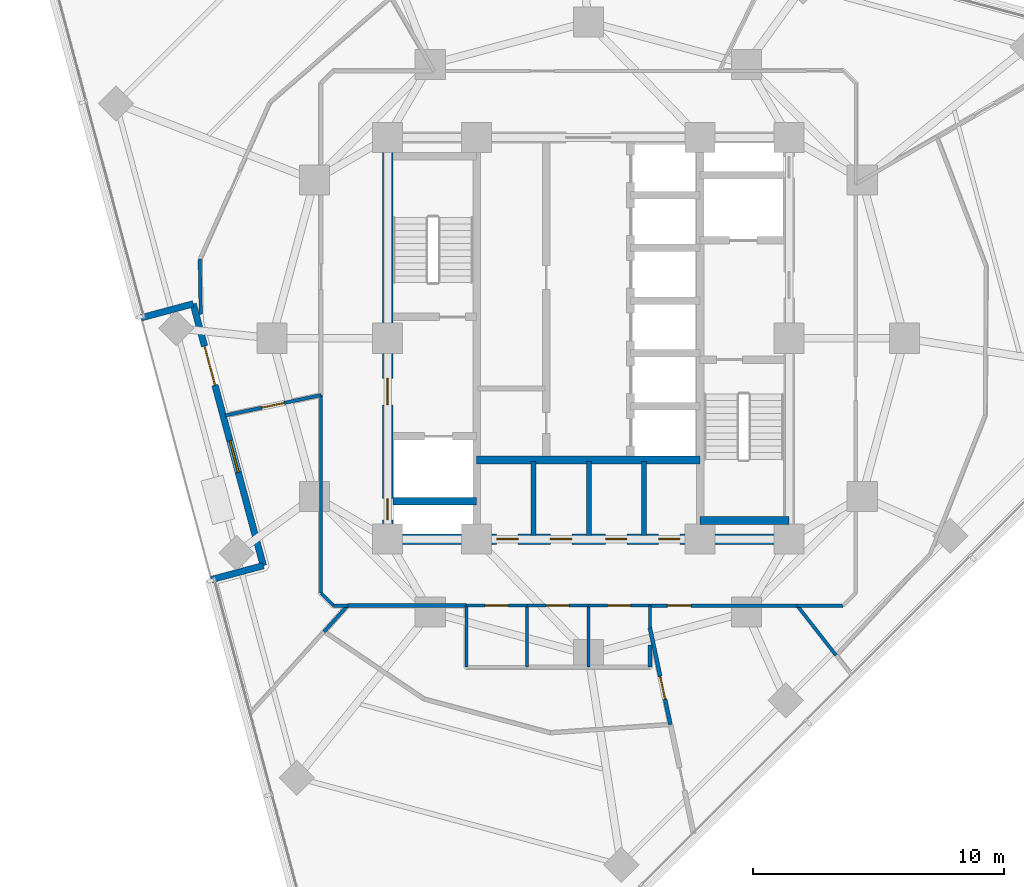
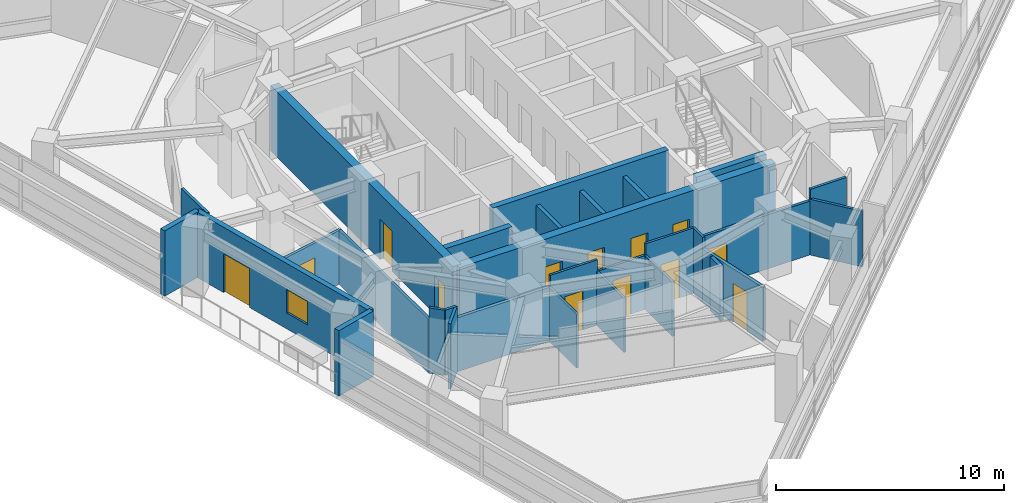
# One storey, part 7 of 14: 30 walls, 13 doors, 1 window, 14 openings.
"""IFC4 building model written with IfcOpenShell, lengths in metres."""

from ifc_helpers import new_model, si_unit, direction, frame, frame_2d, origin, place, context, subcontext, project, spatial, rectangle, extrude, material, layer, layer_set, type_object, element, fill, save


model = new_model("IFC4")

# Units and contexts
model_context = context("Model", 3, precision=1e-05, world=origin(), true_north=direction((0.0, 1.0)))
body_context = subcontext(model_context, "Body", "Model", "MODEL_VIEW")
ifc_project = project(units=[si_unit("LENGTHUNIT", "METRE"), si_unit("AREAUNIT", "SQUARE_METRE"), si_unit("VOLUMEUNIT", "CUBIC_METRE"), si_unit("PLANEANGLEUNIT", "RADIAN"), si_unit("MASSUNIT", "GRAM", prefix="KILO")], contexts=[model_context])

# Site, building, storey
site_placement = place(None, origin())
site = spatial("IfcSite", under=ifc_project, at=site_placement, CompositionType="ELEMENT")
building_placement = place(site_placement, origin())
building = spatial("IfcBuilding", under=site, at=building_placement, Name="Terralouvre Media Tower", CompositionType="ELEMENT")
storey_placement = place(building_placement, frame((0.0, 0.0, 206.39990234375)))
storey = spatial("IfcBuildingStorey", under=building, at=storey_placement, Name="L53", CompositionType="ELEMENT", Elevation=206.39990234375)

# Walls
ifc_material_1 = material(Name="Concrete C50/60", Category="concrete")
ifc_layer_1 = layer(ifc_material_1, 0.300048828125, Name="Core Internal Shaft Wall CW-300")
ifc_layer_set_1 = layer_set([ifc_layer_1], Name="Concrete C50/60")
wall_type_1 = type_object("IfcWallType", Name="Core Internal Shaft Wall CW-300", PredefinedType="SHEAR", material=ifc_layer_set_1)
wall_1_placement = place(storey_placement, frame((4.449951171875, -7.260009765625, 0.0), z_axis=(0.0, 0.0, 1.0), x_axis=(1.0, 0.0, 0.0)))
element("IfcWall", 1, at=wall_1_placement, inside=storey, type_object=wall_type_1, Name="L53 Core Shaft Wall ST2F", PredefinedType="SHEAR", context=body_context, shape_type="SweptSolid", body=[
    extrude(rectangle(XDim=3.550048828125, YDim=0.300048828125, at=frame_2d((1.77490234375, 0.0))), origin(), (0.0, 0.0, 1.0), 3.5),
])
wall_2_placement = place(storey_placement, frame((-7.7900390625, -6.5, 0.0), z_axis=(0.0, 0.0, 1.0), x_axis=(1.0, 0.0, 0.0)))
element("IfcWall", 2, at=wall_2_placement, inside=storey, type_object=wall_type_1, Name="L53 Core Shaft Wall FF1S", PredefinedType="SHEAR", context=body_context, shape_type="SweptSolid", body=[
    extrude(rectangle(XDim=3.340087890625, YDim=0.300048828125, at=frame_2d((1.669921875, 0.0))), origin(), (0.0, 0.0, 1.0), 3.5),
])
wall_3_placement = place(storey_placement, frame((-4.449951171875, -4.85009765625, 0.0), z_axis=(0.0, 0.0, 1.0), x_axis=(1.0, 0.0, 0.0)))
element("IfcWall", 3, at=wall_3_placement, inside=storey, type_object=wall_type_1, Name="L53 Core Shaft Wall CSBN", PredefinedType="SHEAR", context=body_context, shape_type="SweptSolid", body=[
    extrude(rectangle(XDim=8.89990234375, YDim=0.300048828125, at=frame_2d((4.449951171875, 0.0))), origin(), (0.0, 0.0, 1.0), 3.5),
])

# Wall, openings, doors
ifc_material_2 = material(Name="Concrete C60/75", Category="concrete")
ifc_layer_2 = layer(ifc_material_2, 0.419921875, Name="Core Reinforced Concrete Shear Wall CW-420")
ifc_layer_set_2 = layer_set([ifc_layer_2], Name="Concrete C60/75")
wall_type_2 = type_object("IfcWallType", Name="Core Reinforced Concrete Shear Wall CW-420", PredefinedType="SHEAR", material=ifc_layer_set_2)
wall_4_placement = place(storey_placement, frame((-8.0, -8.0, 0.0), z_axis=(0.0, 0.0, 1.0), x_axis=(0.0, 1.0, 0.0)))
wall_4 = element("IfcWall", 4, at=wall_4_placement, inside=storey, type_object=wall_type_2, Name="L53 W Core Shear Wall", PredefinedType="SHEAR", context=body_context, shape_type="SweptSolid", body=[
    extrude(rectangle(XDim=16.0, YDim=0.419921875, at=frame_2d((8.0, 0.0))), origin(), (0.0, 0.0, 1.0), 3.5),
])
opening_1_placement = place(wall_4_placement, frame((0.76123046875, 0.0, 0.0)))
opening_1 = element("IfcOpeningElement", 5, at=opening_1_placement, cuts=wall_4, Name="Opening TD-R1", PredefinedType="OPENING", context=body_context, shape_type="SweptSolid", body=[
    extrude(rectangle(XDim=0.85009765625, YDim=2.02001953125, at=frame_2d((0.425048828125, 1.010009765625))), frame((0.0, 0.219970703125, 0.0), z_axis=(0.0, -1.0, 0.0), x_axis=(1.0, 0.0, 0.0)), (0.0, 0.0, 1.0), 0.43994140625),
])
opening_2_placement = place(wall_4_placement, frame((5.35009765625, 0.0, 0.0)))
opening_2 = element("IfcOpeningElement", 6, at=opening_2_placement, cuts=wall_4, Name="Opening FD-01-105X215", PredefinedType="OPENING", context=body_context, shape_type="SweptSolid", body=[
    extrude(rectangle(XDim=1.050048828125, YDim=2.14990234375, at=frame_2d((0.52490234375, 1.074951171875))), frame((0.0, 0.219970703125, 0.0), z_axis=(0.0, -1.0, 0.0), x_axis=(1.0, 0.0, 0.0)), (0.0, 0.0, 1.0), 0.43994140625),
])
ifc_material_3 = material(Name="Galvanised steel fire-resisting leaf", Category="steel")
door_type_1 = type_object("IfcDoorType", Name="Riser Inspection Access Trapdoor TD-R1", OperationType="NOTDEFINED", PredefinedType="TRAPDOOR", material=ifc_material_3)
door_1_placement = place(opening_1_placement, origin())
door_1 = element("IfcDoor", 7, at=door_1_placement, inside=storey, type_object=door_type_1, Name="L53 Wet Riser Access Trapdoor", OperationType="SINGLE_SWING_LEFT", OverallHeight=2.02001953125, OverallWidth=0.85009765625, PredefinedType="TRAPDOOR", context=body_context, shape_type="SweptSolid", body=[
    extrude(rectangle(XDim=0.85009765625, YDim=2.02001953125, at=frame_2d((0.425048828125, 1.010009765625))), frame((0.0, 0.02490234375, 0.0), z_axis=(0.0, -1.0, 0.0), x_axis=(1.0, 0.0, 0.0)), (0.0, 0.0, 1.0), 0.050048828125),
])
fill(opening_1, door_1)
ifc_material_4 = material(Name="Galvanised steel fire-resisting leaf", Category="steel")
door_type_2 = type_object("IfcDoorType", Name="Stair and Firefighting Lobby Fire Door FD-01 (1050x2150)", OperationType="NOTDEFINED", PredefinedType="DOOR", material=ifc_material_4)
door_2_placement = place(opening_2_placement, origin())
door_2 = element("IfcDoor", 8, at=door_2_placement, inside=storey, type_object=door_type_2, Name="L53 West Firefighting Lobby Entry Door", OperationType="SINGLE_SWING_RIGHT", OverallHeight=2.14990234375, OverallWidth=1.050048828125, PredefinedType="DOOR", context=body_context, shape_type="SweptSolid", body=[
    extrude(rectangle(XDim=1.050048828125, YDim=2.14990234375, at=frame_2d((0.52490234375, 1.074951171875))), frame((0.0, 0.02490234375, 0.0), z_axis=(0.0, -1.0, 0.0), x_axis=(1.0, 0.0, 0.0)), (0.0, 0.0, 1.0), 0.050048828125),
])
fill(opening_2, door_2)

wall_5_placement = place(storey_placement, frame((-8.0, -8.0, 0.0), z_axis=(0.0, 0.0, 1.0), x_axis=(1.0, 0.0, 0.0)))
wall_5 = element("IfcWall", 9, at=wall_5_placement, inside=storey, type_object=wall_type_2, Name="L53 S Core Shear Wall", PredefinedType="SHEAR", context=body_context, shape_type="SweptSolid", body=[
    extrude(rectangle(XDim=16.0, YDim=0.419921875, at=frame_2d((8.0, 0.0))), origin(), (0.0, 0.0, 1.0), 3.5),
])
opening_3_placement = place(wall_5_placement, frame((4.35009765625, 0.0, 0.0)))
opening_3 = element("IfcOpeningElement", 10, at=opening_3_placement, cuts=wall_5, Name="Opening TD-R1", PredefinedType="OPENING", context=body_context, shape_type="SweptSolid", body=[
    extrude(rectangle(XDim=0.85009765625, YDim=2.02001953125, at=frame_2d((0.425048828125, 1.010009765625))), frame((0.0, 0.219970703125, 0.0), z_axis=(0.0, -1.0, 0.0), x_axis=(1.0, 0.0, 0.0)), (0.0, 0.0, 1.0), 0.43994140625),
])
opening_4_placement = place(wall_5_placement, frame((6.489990234375, 0.0, 0.0)))
opening_4 = element("IfcOpeningElement", 11, at=opening_4_placement, cuts=wall_5, Name="Opening TD-R1", PredefinedType="OPENING", context=body_context, shape_type="SweptSolid", body=[
    extrude(rectangle(XDim=0.85009765625, YDim=2.02001953125, at=frame_2d((0.425048828125, 1.010009765625))), frame((0.0, 0.219970703125, 0.0), z_axis=(0.0, -1.0, 0.0), x_axis=(1.0, 0.0, 0.0)), (0.0, 0.0, 1.0), 0.43994140625),
])
opening_5_placement = place(wall_5_placement, frame((8.68994140625, 0.0, 0.0)))
opening_5 = element("IfcOpeningElement", 12, at=opening_5_placement, cuts=wall_5, Name="Opening TD-R1", PredefinedType="OPENING", context=body_context, shape_type="SweptSolid", body=[
    extrude(rectangle(XDim=0.85009765625, YDim=2.02001953125, at=frame_2d((0.425048828125, 1.010009765625))), frame((0.0, 0.219970703125, 0.0), z_axis=(0.0, -1.0, 0.0), x_axis=(1.0, 0.0, 0.0)), (0.0, 0.0, 1.0), 0.43994140625),
])
opening_6_placement = place(wall_5_placement, frame((10.800048828125, 0.0, 0.0)))
opening_6 = element("IfcOpeningElement", 13, at=opening_6_placement, cuts=wall_5, Name="Opening TD-R1", PredefinedType="OPENING", context=body_context, shape_type="SweptSolid", body=[
    extrude(rectangle(XDim=0.85009765625, YDim=2.02001953125, at=frame_2d((0.425048828125, 1.010009765625))), frame((0.0, 0.219970703125, 0.0), z_axis=(0.0, -1.0, 0.0), x_axis=(1.0, 0.0, 0.0)), (0.0, 0.0, 1.0), 0.43994140625),
])
door_3_placement = place(opening_3_placement, origin())
door_3 = element("IfcDoor", 14, at=door_3_placement, inside=storey, type_object=door_type_1, Name="L53 Core Battery Plant Door", OperationType="SINGLE_SWING_LEFT", OverallHeight=2.02001953125, OverallWidth=0.85009765625, PredefinedType="TRAPDOOR", context=body_context, shape_type="SweptSolid", body=[
    extrude(rectangle(XDim=0.85009765625, YDim=2.02001953125, at=frame_2d((0.425048828125, 1.010009765625))), frame((0.0, 0.02490234375, 0.0), z_axis=(0.0, -1.0, 0.0), x_axis=(1.0, 0.0, 0.0)), (0.0, 0.0, 1.0), 0.050048828125),
])
fill(opening_3, door_3)
door_4_placement = place(opening_4_placement, origin())
door_4 = element("IfcDoor", 15, at=door_4_placement, inside=storey, type_object=door_type_1, Name="L53 Core IT Patch Plant Door", OperationType="SINGLE_SWING_RIGHT", OverallHeight=2.02001953125, OverallWidth=0.85009765625, PredefinedType="TRAPDOOR", context=body_context, shape_type="SweptSolid", body=[
    extrude(rectangle(XDim=0.85009765625, YDim=2.02001953125, at=frame_2d((0.425048828125, 1.010009765625))), frame((0.0, 0.02490234375, 0.0), z_axis=(0.0, -1.0, 0.0), x_axis=(1.0, 0.0, 0.0)), (0.0, 0.0, 1.0), 0.050048828125),
])
fill(opening_4, door_4)
door_5_placement = place(opening_5_placement, origin())
door_5 = element("IfcDoor", 16, at=door_5_placement, inside=storey, type_object=door_type_1, Name="L53 Core Housekeeping Store Door", OperationType="SINGLE_SWING_LEFT", OverallHeight=2.02001953125, OverallWidth=0.85009765625, PredefinedType="TRAPDOOR", context=body_context, shape_type="SweptSolid", body=[
    extrude(rectangle(XDim=0.85009765625, YDim=2.02001953125, at=frame_2d((0.425048828125, 1.010009765625))), frame((0.0, 0.02490234375, 0.0), z_axis=(0.0, -1.0, 0.0), x_axis=(1.0, 0.0, 0.0)), (0.0, 0.0, 1.0), 0.050048828125),
])
fill(opening_5, door_5)
door_6_placement = place(opening_6_placement, origin())
door_6 = element("IfcDoor", 17, at=door_6_placement, inside=storey, type_object=door_type_1, Name="L53 Core Smoke Damper Plant Door", OperationType="SINGLE_SWING_RIGHT", OverallHeight=2.02001953125, OverallWidth=0.85009765625, PredefinedType="TRAPDOOR", context=body_context, shape_type="SweptSolid", body=[
    extrude(rectangle(XDim=0.85009765625, YDim=2.02001953125, at=frame_2d((0.425048828125, 1.010009765625))), frame((0.0, 0.02490234375, 0.0), z_axis=(0.0, -1.0, 0.0), x_axis=(1.0, 0.0, 0.0)), (0.0, 0.0, 1.0), 0.050048828125),
])
fill(opening_6, door_6)

# Walls
ifc_material_5 = material(Name="Fire-rated gypsum board drywall partition")
ifc_layer_3 = layer(ifc_material_5, 0.199951171875, Name="Fire-Rated Shaft and Lobby Partition FW-200")
ifc_layer_set_3 = layer_set([ifc_layer_3], Name="Fire-rated gypsum board drywall partition")
wall_type_3 = type_object("IfcWallType", Name="Fire-Rated Shaft and Lobby Partition FW-200", PredefinedType="SOLIDWALL", material=ifc_layer_set_3)
for number, where, z_axis, x_axis, name in (
    (18, (-2.179931640625, -7.85009765625, 0.0), (0.0, 0.0, 1.0), (0.0, 1.0, 0.0), "L53 Core Service Bay Partition 1"),
    (19, (0.02001953125, -7.85009765625, 0.0), (0.0, 0.0, 1.0), (0.0, 1.0, 0.0), "L53 Core Service Bay Partition 2"),
    (20, (2.219970703125, -7.85009765625, 0.0), (0.0, 0.0, 1.0), (0.0, 1.0, 0.0), "L53 Core Service Bay Partition 3"),
):
    element("IfcWall", number, at=place(storey_placement, frame(where, z_axis=z_axis, x_axis=x_axis)), inside=storey, type_object=wall_type_3, Name=name, PredefinedType="SOLIDWALL", context=body_context, shape_type="SweptSolid", body=[
        extrude(rectangle(XDim=2.9501953125, YDim=0.199951171875, at=frame_2d((1.47509765625, 0.0))), origin(), (0.0, 0.0, 1.0), 2.885009765625),
    ])
ifc_material_6 = material(Name="Fire-rated gypsum board drywall partition")
ifc_layer_4 = layer(ifc_material_6, 0.135009765625, Name="Newsroom Acoustic Partition PT-135")
ifc_layer_set_4 = layer_set([ifc_layer_4], Name="Fire-rated gypsum board drywall partition")
wall_type_4 = type_object("IfcWallType", Name="Newsroom Acoustic Partition PT-135", PredefinedType="PARTITIONING", material=ifc_layer_set_4)
wall_6_placement = place(storey_placement, frame((-10.64990234375, -2.263916015625, 0.0), z_axis=(0.0, 0.0, 1.0), x_axis=(0.0, -1.0, 0.0)))
element("IfcWall", 21, at=wall_6_placement, inside=storey, type_object=wall_type_4, Name="L53 Interior Partition 001", PredefinedType="PARTITIONING", context=body_context, shape_type="SweptSolid", body=[
    extrude(rectangle(XDim=7.885986328125, YDim=0.135009765625, at=frame_2d((3.94287109375, 0.0))), origin(), (0.0, 0.0, 1.0), 2.885009765625),
])
wall_7_placement = place(storey_placement, frame((-10.64990234375, -10.14990234375, 0.0), z_axis=(0.0, 0.0, 1.0), x_axis=(0.707106781187, -0.707106781187, 0.0)))
element("IfcWall", 22, at=wall_7_placement, inside=storey, type_object=wall_type_4, Name="L53 Interior Partition 002", PredefinedType="PARTITIONING", context=body_context, shape_type="SweptSolid", body=[
    extrude(rectangle(XDim=0.70703125, YDim=0.135009765625, at=frame_2d((0.353515625, 0.0))), origin(), (0.0, 0.0, 1.0), 3.5),
])
wall_8_placement = place(storey_placement, frame((-10.14990234375, -10.64990234375, 0.0), z_axis=(0.0, 0.0, 1.0), x_axis=(1.0, 0.0, 0.0)))
element("IfcWall", 23, at=wall_8_placement, inside=storey, type_object=wall_type_4, Name="L53 Interior Partition 003", PredefinedType="PARTITIONING", context=body_context, shape_type="SweptSolid", body=[
    extrude(rectangle(XDim=0.560791015625, YDim=0.135009765625, at=frame_2d((0.2802734375, 0.0))), origin(), (0.0, 0.0, 1.0), 3.5),
])

# Wall, opening, door
wall_9_placement = place(storey_placement, frame((2.449951171875, -10.64990234375, 0.0), z_axis=(0.0, 0.0, 1.0), x_axis=(1.0, 0.0, 0.0)))
wall_9 = element("IfcWall", 24, at=wall_9_placement, inside=storey, type_object=wall_type_4, Name="L53 Interior Partition 008", PredefinedType="PARTITIONING", context=body_context, shape_type="SweptSolid", body=[
    extrude(rectangle(XDim=5.87109375, YDim=0.135009765625, at=frame_2d((2.935546875, 0.0))), origin(), (0.0, 0.0, 1.0), 2.885009765625),
])
opening_7_placement = place(wall_9_placement, frame((0.69921875, 0.0, 0.0)))
opening_7 = element("IfcOpeningElement", 25, at=opening_7_placement, cuts=wall_9, Name="Opening ID-02-95X210", PredefinedType="OPENING", context=body_context, shape_type="SweptSolid", body=[
    extrude(rectangle(XDim=0.949951171875, YDim=2.10009765625, at=frame_2d((0.47509765625, 1.050048828125))), frame((0.0, 0.077392578125, 0.0), z_axis=(0.0, -1.0, 0.0), x_axis=(1.0, 0.0, 0.0)), (0.0, 0.0, 1.0), 0.155029296875),
])
ifc_material_7 = material(Name="Engineered hardwood acoustic timber leaf", Category="wood")
door_type_3 = type_object("IfcDoorType", Name="Office and Meeting Room Door ID-02 (950x2100)", OperationType="NOTDEFINED", PredefinedType="DOOR", material=ifc_material_7)
door_7_placement = place(opening_7_placement, origin())
door_7 = element("IfcDoor", 26, at=door_7_placement, inside=storey, type_object=door_type_3, Name="L53 Master Film Reel Vault Store 4 Door", OperationType="SINGLE_SWING_LEFT", OverallHeight=2.10009765625, OverallWidth=0.949951171875, PredefinedType="DOOR", context=body_context, shape_type="SweptSolid", body=[
    extrude(rectangle(XDim=0.949951171875, YDim=2.10009765625, at=frame_2d((0.47509765625, 1.050048828125))), frame((0.0, 0.02490234375, 0.0), z_axis=(0.0, -1.0, 0.0), x_axis=(1.0, 0.0, 0.0)), (0.0, 0.0, 1.0), 0.050048828125),
])
fill(opening_7, door_7)

# Walls
wall_10_placement = place(storey_placement, frame((8.321044921875, -10.64990234375, 0.0), z_axis=(0.0, 0.0, 1.0), x_axis=(1.0, 0.0, 0.0)))
element("IfcWall", 27, at=wall_10_placement, inside=storey, type_object=wall_type_4, Name="L53 Interior Partition 009", PredefinedType="PARTITIONING", context=body_context, shape_type="SweptSolid", body=[
    extrude(rectangle(XDim=1.828857421875, YDim=0.135009765625, at=frame_2d((0.91455078125, 0.0))), origin(), (0.0, 0.0, 1.0), 3.5),
])
wall_11_placement = place(storey_placement, frame((-10.530029296875, -11.694091796875, 0.0), z_axis=(0.0, 0.0, 1.0), x_axis=(0.669415636384, 0.74288808428, 0.0)))
element("IfcWall", 28, at=wall_11_placement, inside=storey, type_object=wall_type_4, Name="L53 Interior Partition 019", PredefinedType="PARTITIONING", context=body_context, shape_type="SweptSolid", body=[
    extrude(rectangle(XDim=1.405517578125, YDim=0.135009765625, at=frame_2d((0.70263671875, 0.0))), origin(), (0.0, 0.0, 1.0), 3.5),
])

# Wall, opening, door
wall_12_placement = place(storey_placement, frame((-10.64990234375, -2.263916015625, 0.0), z_axis=(0.0, 0.0, 1.0), x_axis=(-0.978186803753, -0.207727169534, 0.0)))
wall_12 = element("IfcWall", 29, at=wall_12_placement, inside=storey, type_object=wall_type_4, Name="L53 Interior Partition 021", PredefinedType="PARTITIONING", context=body_context, shape_type="SweptSolid", body=[
    extrude(rectangle(XDim=3.905517578125, YDim=0.135009765625, at=frame_2d((1.95263671875, 0.0))), origin(), (0.0, 0.0, 1.0), 2.885009765625),
])
opening_8_placement = place(wall_12_placement, frame((1.49267578125, 0.0, 0.0)))
opening_8 = element("IfcOpeningElement", 30, at=opening_8_placement, cuts=wall_12, Name="Opening ID-03-92X210", PredefinedType="OPENING", context=body_context, shape_type="SweptSolid", body=[
    extrude(rectangle(XDim=0.919921875, YDim=2.10009765625, at=frame_2d((0.4599609375, 1.050048828125))), frame((0.0, 0.077392578125, 0.0), z_axis=(0.0, -1.0, 0.0), x_axis=(1.0, 0.0, 0.0)), (0.0, 0.0, 1.0), 0.155029296875),
])
ifc_material_8 = material(Name="Engineered hardwood acoustic timber leaf", Category="wood")
door_type_4 = type_object("IfcDoorType", Name="Accessible Restroom and Suite Door ID-03 (920x2100)", OperationType="NOTDEFINED", PredefinedType="DOOR", material=ifc_material_8)
door_8_placement = place(opening_8_placement, origin())
door_8 = element("IfcDoor", 31, at=door_8_placement, inside=storey, type_object=door_type_4, Name="L53 VFX Compositing Open Office 1 Door", OperationType="SINGLE_SWING_RIGHT", OverallHeight=2.10009765625, OverallWidth=0.919921875, PredefinedType="DOOR", context=body_context, shape_type="SweptSolid", body=[
    extrude(rectangle(XDim=0.919921875, YDim=2.10009765625, at=frame_2d((0.4599609375, 1.050048828125))), frame((0.0, 0.02490234375, 0.0), z_axis=(0.0, -1.0, 0.0), x_axis=(1.0, 0.0, 0.0)), (0.0, 0.0, 1.0), 0.050048828125),
])
fill(opening_8, door_8)

# Walls
wall_13_placement = place(storey_placement, frame((9.866943359375, -12.62890625, 0.0), z_axis=(0.0, 0.0, 1.0), x_axis=(-0.615594988766, 0.788062694084, 0.0)))
element("IfcWall", 32, at=wall_13_placement, inside=storey, type_object=wall_type_4, Name="L53 Interior Partition 035", PredefinedType="PARTITIONING", context=body_context, shape_type="SweptSolid", body=[
    extrude(rectangle(XDim=2.51123046875, YDim=0.135009765625, at=frame_2d((1.255615234375, 0.0))), origin(), (0.0, 0.0, 1.0), 2.985107421875),
])
wall_14_placement = place(storey_placement, frame((-15.444580078125, 0.95751953125, 0.0), z_axis=(0.0, 0.0, 1.0), x_axis=(-0.017480624805, 0.999847202205, 0.0)))
element("IfcWall", 33, at=wall_14_placement, inside=storey, type_object=wall_type_4, Name="L53 Interior Partition 050", PredefinedType="PARTITIONING", context=body_context, shape_type="SweptSolid", body=[
    extrude(rectangle(XDim=2.192626953125, YDim=0.135009765625, at=frame_2d((1.09619140625, 0.0))), origin(), (0.0, 0.0, 1.0), 3.5),
])

# Wall, openings, window, door
ifc_material_9 = material(Name="Kiln-fired architectural terracotta rainscreen cladding", Category="masonry")
ifc_layer_5 = layer(ifc_material_9, 0.260009765625, Name="Recessed Sky-Garden Acoustic Wall EW-SG260")
ifc_layer_set_5 = layer_set([ifc_layer_5], Name="Kiln-fired architectural terracotta rainscreen cladding")
wall_type_5 = type_object("IfcWallType", Name="Recessed Sky-Garden Acoustic Wall EW-SG260", PredefinedType="SOLIDWALL", material=ifc_layer_set_5)
wall_15_placement = place(storey_placement, frame((-15.744384765625, 1.371826171875, 0.0), z_axis=(0.0, 0.0, 1.0), x_axis=(0.25880915351, -0.965928476679, 0.0)))
wall_15 = element("IfcWall", 34, at=wall_15_placement, inside=storey, type_object=wall_type_5, Name="L53 SG Recessed Loggia Back Wall", PredefinedType="SOLIDWALL", context=body_context, shape_type="SweptSolid", body=[
    extrude(rectangle(XDim=10.800048828125, YDim=0.260009765625, at=frame_2d((5.39990234375, 0.0))), origin(), (0.0, 0.0, 1.0), 3.5),
])
opening_9_placement = place(wall_15_placement, frame((1.75, 0.0, 0.0)))
opening_9 = element("IfcOpeningElement", 35, at=opening_9_placement, cuts=wall_15, Name="Opening TD-01", PredefinedType="OPENING", context=body_context, shape_type="SweptSolid", body=[
    extrude(rectangle(XDim=1.60009765625, YDim=2.080078125, at=frame_2d((0.800048828125, 1.0400390625))), frame((0.0, 0.139892578125, 0.0), z_axis=(0.0, -1.0, 0.0), x_axis=(1.0, 0.0, 0.0)), (0.0, 0.0, 1.0), 0.280029296875),
])
opening_10_placement = place(wall_15_placement, frame((5.64990234375, 0.0, 0.85009765625)))
opening_10 = element("IfcOpeningElement", 36, at=opening_10_placement, cuts=wall_15, Name="Opening W-03", PredefinedType="OPENING", context=body_context, shape_type="SweptSolid", body=[
    extrude(rectangle(XDim=1.300048828125, YDim=1.25, at=frame_2d((0.64990234375, 0.625))), frame((0.0, 0.139892578125, 0.0), z_axis=(0.0, -1.0, 0.0), x_axis=(1.0, 0.0, 0.0)), (0.0, 0.0, 1.0), 0.280029296875),
])
ifc_material_10 = material(Name="Low-iron laminated double glazing with solar-control coating", Category="glass")
window_type = type_object("IfcWindowType", Name="Sky-Garden Loggia Window W-03", PartitioningType="SINGLE_PANEL", PredefinedType="WINDOW", material=ifc_material_10)
window_placement = place(opening_10_placement, origin())
window = element("IfcWindow", 37, at=window_placement, inside=storey, type_object=window_type, Name="L53 Pocket Loggia Window 1", OverallHeight=1.25, OverallWidth=1.300048828125, PartitioningType="SINGLE_PANEL", PredefinedType="WINDOW", context=body_context, shape_type="SweptSolid", body=[
    extrude(rectangle(XDim=1.300048828125, YDim=1.25, at=frame_2d((0.64990234375, 0.625))), frame((0.0, 0.030029296875, 0.0), z_axis=(0.0, -1.0, 0.0), x_axis=(1.0, 0.0, 0.0)), (0.0, 0.0, 1.0), 0.06005859375),
])
fill(opening_10, window)
ifc_material_11 = material(Name="Anodised extruded aluminium 6063-T6", Category="aluminium")
door_type_5 = type_object("IfcDoorType", Name="Sky-Garden Terrace Double Door TD-01", OperationType="DOUBLE_DOOR_SLIDING", PredefinedType="DOOR", material=ifc_material_11)
door_9_placement = place(opening_9_placement, frame((1.60009765625, 0.0, 0.0), z_axis=(0.0, 0.0, 1.0), x_axis=(-1.0, 0.0, 0.0)))
door_9 = element("IfcDoor", 38, at=door_9_placement, inside=storey, type_object=door_type_5, Name="L53 Sky-Garden Terrace Door", OperationType="DOUBLE_DOOR_SLIDING", OverallHeight=2.080078125, OverallWidth=1.60009765625, PredefinedType="DOOR", context=body_context, shape_type="SweptSolid", body=[
    extrude(rectangle(XDim=1.60009765625, YDim=2.080078125, at=frame_2d((0.800048828125, 1.0400390625))), frame((0.0, 0.02490234375, 0.0), z_axis=(0.0, -1.0, 0.0), x_axis=(1.0, 0.0, 0.0)), (0.0, 0.0, 1.0), 0.050048828125),
])
fill(opening_9, door_9)

# Walls
wall_16_placement = place(storey_placement, frame((-17.8212890625, 0.815185546875, 0.0), z_axis=(0.0, 0.0, 1.0), x_axis=(0.965910035775, 0.258877968916, 0.0)))
element("IfcWall", 39, at=wall_16_placement, inside=storey, type_object=wall_type_5, Name="L53 SG Pocket Left Cheek Wall", PredefinedType="SOLIDWALL", context=body_context, shape_type="SweptSolid", body=[
    extrude(rectangle(XDim=2.150146484375, YDim=0.260009765625, at=frame_2d((1.0751953125, 0.0))), origin(), (0.0, 0.0, 1.0), 3.5),
])
wall_17_placement = place(storey_placement, frame((-12.94921875, -9.060302734375, 0.0), z_axis=(0.0, 0.0, 1.0), x_axis=(-0.965930817892, -0.258800415469, 0.0)))
element("IfcWall", 40, at=wall_17_placement, inside=storey, type_object=wall_type_5, Name="L53 SG Pocket Right Cheek Wall", PredefinedType="SOLIDWALL", context=body_context, shape_type="SweptSolid", body=[
    extrude(rectangle(XDim=2.14990234375, YDim=0.260009765625, at=frame_2d((1.074951171875, 0.0))), origin(), (0.0, 0.0, 1.0), 3.5),
])

# Wall, opening, door
ifc_material_12 = material(Name="Fire-rated gypsum board drywall partition")
ifc_layer_6 = layer(ifc_material_12, 0.114990234375, Name="Restroom and Pantry Partition PT-115")
ifc_layer_set_6 = layer_set([ifc_layer_6], Name="Fire-rated gypsum board drywall partition")
wall_type_6 = type_object("IfcWallType", Name="Restroom and Pantry Partition PT-115", PredefinedType="PARTITIONING", material=ifc_layer_set_6)
wall_18_placement = place(storey_placement, frame((-4.85009765625, -10.64990234375, 0.0), z_axis=(0.0, 0.0, 1.0), x_axis=(1.0, 0.0, 0.0)))
wall_18 = element("IfcWall", 41, at=wall_18_placement, inside=storey, type_object=wall_type_6, Name="L53 Interior Partition 004", PredefinedType="PARTITIONING", context=body_context, shape_type="SweptSolid", body=[
    extrude(rectangle(XDim=2.400146484375, YDim=0.114990234375, at=frame_2d((1.2001953125, 0.0))), origin(), (0.0, 0.0, 1.0), 3.5),
])
opening_11_placement = place(wall_18_placement, frame((0.739990234375, 0.0, 0.0)))
opening_11 = element("IfcOpeningElement", 42, at=opening_11_placement, cuts=wall_18, Name="Opening ID-03-92X210", PredefinedType="OPENING", context=body_context, shape_type="SweptSolid", body=[
    extrude(rectangle(XDim=0.919921875, YDim=2.10009765625, at=frame_2d((0.4599609375, 1.050048828125))), frame((0.0, 0.0673828125, 0.0), z_axis=(0.0, -1.0, 0.0), x_axis=(1.0, 0.0, 0.0)), (0.0, 0.0, 1.0), 0.135009765625),
])
door_10_placement = place(opening_11_placement, origin())
door_10 = element("IfcDoor", 43, at=door_10_placement, inside=storey, type_object=door_type_4, Name="L53 Male Restroom WC Door", OperationType="SINGLE_SWING_RIGHT", OverallHeight=2.10009765625, OverallWidth=0.919921875, PredefinedType="DOOR", context=body_context, shape_type="SweptSolid", body=[
    extrude(rectangle(XDim=0.919921875, YDim=2.10009765625, at=frame_2d((0.4599609375, 1.050048828125))), frame((0.0, 0.02490234375, 0.0), z_axis=(0.0, -1.0, 0.0), x_axis=(1.0, 0.0, 0.0)), (0.0, 0.0, 1.0), 0.050048828125),
])
fill(opening_11, door_10)

wall_19_placement = place(storey_placement, frame((-2.449951171875, -10.64990234375, 0.0), z_axis=(0.0, 0.0, 1.0), x_axis=(1.0, 0.0, 0.0)))
wall_19 = element("IfcWall", 44, at=wall_19_placement, inside=storey, type_object=wall_type_6, Name="L53 Interior Partition 006", PredefinedType="PARTITIONING", context=body_context, shape_type="SweptSolid", body=[
    extrude(rectangle(XDim=2.449951171875, YDim=0.114990234375, at=frame_2d((1.22509765625, 0.0))), origin(), (0.0, 0.0, 1.0), 2.885009765625),
])
opening_12_placement = place(wall_19_placement, frame((0.764892578125, 0.0, 0.0)))
opening_12 = element("IfcOpeningElement", 45, at=opening_12_placement, cuts=wall_19, Name="Opening ID-03-92X210", PredefinedType="OPENING", context=body_context, shape_type="SweptSolid", body=[
    extrude(rectangle(XDim=0.919921875, YDim=2.10009765625, at=frame_2d((0.4599609375, 1.050048828125))), frame((0.0, 0.0673828125, 0.0), z_axis=(0.0, -1.0, 0.0), x_axis=(1.0, 0.0, 0.0)), (0.0, 0.0, 1.0), 0.135009765625),
])
door_11_placement = place(opening_12_placement, origin())
door_11 = element("IfcDoor", 46, at=door_11_placement, inside=storey, type_object=door_type_4, Name="L53 Female Restroom WC Door", OperationType="SINGLE_SWING_LEFT", OverallHeight=2.10009765625, OverallWidth=0.919921875, PredefinedType="DOOR", context=body_context, shape_type="SweptSolid", body=[
    extrude(rectangle(XDim=0.919921875, YDim=2.10009765625, at=frame_2d((0.4599609375, 1.050048828125))), frame((0.0, 0.02490234375, 0.0), z_axis=(0.0, -1.0, 0.0), x_axis=(1.0, 0.0, 0.0)), (0.0, 0.0, 1.0), 0.050048828125),
])
fill(opening_12, door_11)

wall_20_placement = place(storey_placement, frame((0.0, -10.64990234375, 0.0), z_axis=(0.0, 0.0, 1.0), x_axis=(1.0, 0.0, 0.0)))
wall_20 = element("IfcWall", 47, at=wall_20_placement, inside=storey, type_object=wall_type_6, Name="L53 Interior Partition 007", PredefinedType="PARTITIONING", context=body_context, shape_type="SweptSolid", body=[
    extrude(rectangle(XDim=2.449951171875, YDim=0.114990234375, at=frame_2d((1.22509765625, 0.0))), origin(), (0.0, 0.0, 1.0), 3.5),
])
opening_13_placement = place(wall_20_placement, frame((0.764892578125, 0.0, 0.0)))
opening_13 = element("IfcOpeningElement", 48, at=opening_13_placement, cuts=wall_20, Name="Opening ID-03-92X210", PredefinedType="OPENING", context=body_context, shape_type="SweptSolid", body=[
    extrude(rectangle(XDim=0.919921875, YDim=2.10009765625, at=frame_2d((0.4599609375, 1.050048828125))), frame((0.0, 0.0673828125, 0.0), z_axis=(0.0, -1.0, 0.0), x_axis=(1.0, 0.0, 0.0)), (0.0, 0.0, 1.0), 0.135009765625),
])
door_12_placement = place(opening_13_placement, origin())
door_12 = element("IfcDoor", 49, at=door_12_placement, inside=storey, type_object=door_type_4, Name="L53 Accessible Unisex WC Door", OperationType="SINGLE_SWING_RIGHT", OverallHeight=2.10009765625, OverallWidth=0.919921875, PredefinedType="DOOR", context=body_context, shape_type="SweptSolid", body=[
    extrude(rectangle(XDim=0.919921875, YDim=2.10009765625, at=frame_2d((0.4599609375, 1.050048828125))), frame((0.0, 0.02490234375, 0.0), z_axis=(0.0, -1.0, 0.0), x_axis=(1.0, 0.0, 0.0)), (0.0, 0.0, 1.0), 0.050048828125),
])
fill(opening_13, door_12)

# Walls
for number, where, z_axis, x_axis, name in (
    (50, (-4.85009765625, -10.64990234375, 0.0), (0.0, 0.0, 1.0), (0.0, -1.0, 0.0), "L53 Interior Partition 022"),
    (51, (-2.449951171875, -13.10009765625, 0.0), (0.0, 0.0, 1.0), (0.0, 1.0, 0.0), "L53 Interior Partition 024"),
    (52, (0.0, -13.10009765625, 0.0), (0.0, 0.0, 1.0), (0.0, 1.0, 0.0), "L53 Interior Partition 033"),
):
    element("IfcWall", number, at=place(storey_placement, frame(where, z_axis=z_axis, x_axis=x_axis)), inside=storey, type_object=wall_type_6, Name=name, PredefinedType="PARTITIONING", context=body_context, shape_type="SweptSolid", body=[
        extrude(rectangle(XDim=2.4501953125, YDim=0.114990234375, at=frame_2d((1.22509765625, 0.0))), origin(), (0.0, 0.0, 1.0), 2.885009765625),
    ])
wall_21_placement = place(storey_placement, frame((2.449951171875, -11.52587890625, 0.0), z_axis=(0.0, 0.0, 1.0), x_axis=(0.0, 1.0, 0.0)))
element("IfcWall", 53, at=wall_21_placement, inside=storey, type_object=wall_type_6, Name="L53 Interior Partition 034", PredefinedType="PARTITIONING", context=body_context, shape_type="SweptSolid", body=[
    extrude(rectangle(XDim=0.8759765625, YDim=0.114990234375, at=frame_2d((0.43798828125, 0.0))), origin(), (0.0, 0.0, 1.0), 3.5),
])
ifc_material_13 = material(Name="Fire-rated gypsum board drywall partition")
ifc_layer_7 = layer(ifc_material_13, 0.159912109375, Name="Studio Acoustic Rated Partition PT-160")
ifc_layer_set_7 = layer_set([ifc_layer_7], Name="Fire-rated gypsum board drywall partition")
wall_type_7 = type_object("IfcWallType", Name="Studio Acoustic Rated Partition PT-160", PredefinedType="PARTITIONING", material=ifc_layer_set_7)
wall_22_placement = place(storey_placement, frame((-9.589111328125, -10.64990234375, 0.0), z_axis=(0.0, 0.0, 1.0), x_axis=(1.0, 0.0, 0.0)))
element("IfcWall", 54, at=wall_22_placement, inside=storey, type_object=wall_type_7, Name="L53 Interior Partition 005", PredefinedType="PARTITIONING", context=body_context, shape_type="SweptSolid", body=[
    extrude(rectangle(XDim=4.739013671875, YDim=0.159912109375, at=frame_2d((2.36962890625, 0.0))), origin(), (0.0, 0.0, 1.0), 2.885009765625),
])
wall_23_placement = place(storey_placement, frame((2.449951171875, -12.223388671875, 0.0), z_axis=(0.0, 0.0, 1.0), x_axis=(0.0, -1.0, 0.0)))
element("IfcWall", 55, at=wall_23_placement, inside=storey, type_object=wall_type_7, Name="L53 Interior Partition 029", PredefinedType="PARTITIONING", context=body_context, shape_type="SweptSolid", body=[
    extrude(rectangle(XDim=0.876708984375, YDim=0.159912109375, at=frame_2d((0.4384765625, 0.0))), origin(), (0.0, 0.0, 1.0), 2.885009765625),
])

# Wall, opening, door
wall_24_placement = place(storey_placement, frame((3.27197265625, -15.39306640625, 0.0), z_axis=(0.0, 0.0, 1.0), x_axis=(-0.207917839104, 0.978146293855, 0.0)))
wall_24 = element("IfcWall", 56, at=wall_24_placement, inside=storey, type_object=wall_type_7, Name="L53 Interior Partition 031", PredefinedType="PARTITIONING", context=body_context, shape_type="SweptSolid", body=[
    extrude(rectangle(XDim=3.95361328125, YDim=0.159912109375, at=frame_2d((1.976806640625, 0.0))), origin(), (0.0, 0.0, 1.0), 2.885009765625),
])
opening_14_placement = place(wall_24_placement, frame((1.042236328125, 0.0, 0.0)))
opening_14 = element("IfcOpeningElement", 57, at=opening_14_placement, cuts=wall_24, Name="Opening ID-03-92X210", PredefinedType="OPENING", context=body_context, shape_type="SweptSolid", body=[
    extrude(rectangle(XDim=0.919921875, YDim=2.10009765625, at=frame_2d((0.4599609375, 1.050048828125))), frame((0.0, 0.08984375, 0.0), z_axis=(0.0, -1.0, 0.0), x_axis=(1.0, 0.0, 0.0)), (0.0, 0.0, 1.0), 0.179931640625),
])
door_13_placement = place(opening_14_placement, origin())
door_13 = element("IfcDoor", 58, at=door_13_placement, inside=storey, type_object=door_type_4, Name="L53 Colourist Technical Control Room 2 Door", OperationType="SINGLE_SWING_LEFT", OverallHeight=2.10009765625, OverallWidth=0.919921875, PredefinedType="DOOR", context=body_context, shape_type="SweptSolid", body=[
    extrude(rectangle(XDim=0.919921875, YDim=2.10009765625, at=frame_2d((0.4599609375, 1.050048828125))), frame((0.0, 0.02490234375, 0.0), z_axis=(0.0, -1.0, 0.0), x_axis=(1.0, 0.0, 0.0)), (0.0, 0.0, 1.0), 0.050048828125),
])
fill(opening_14, door_13)

save(model, "model.ifc")
